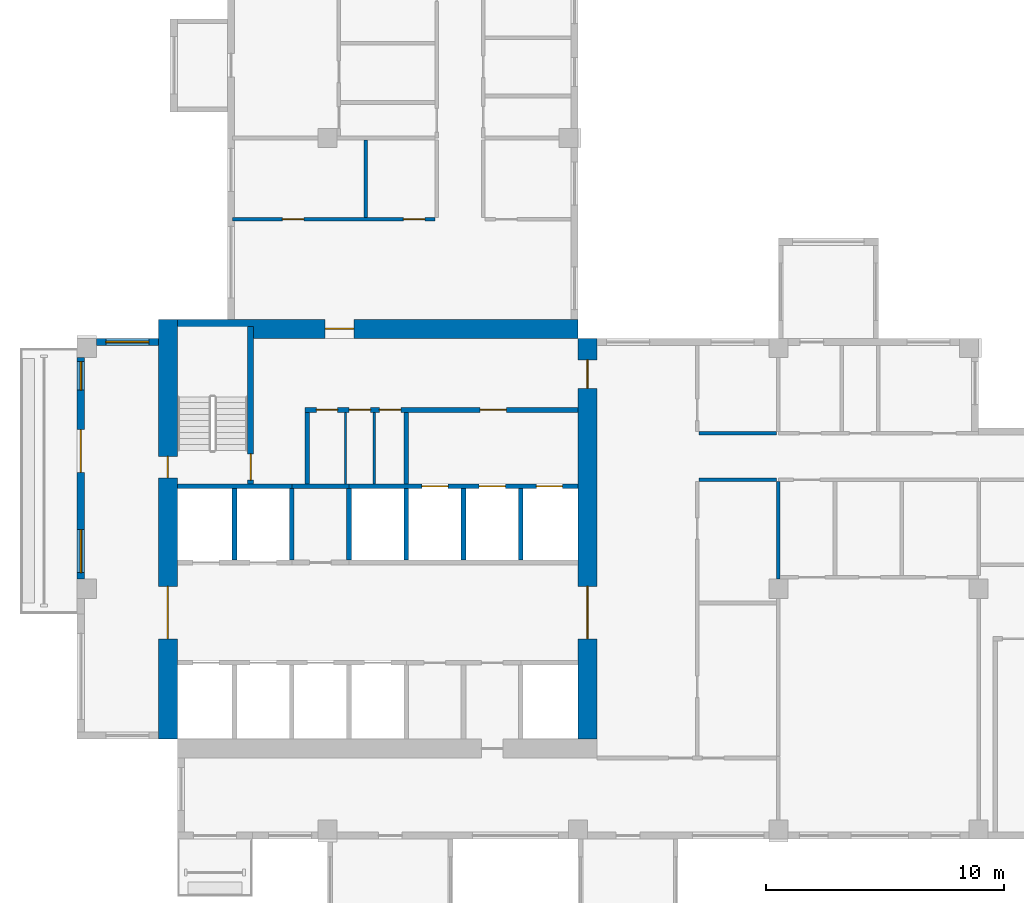
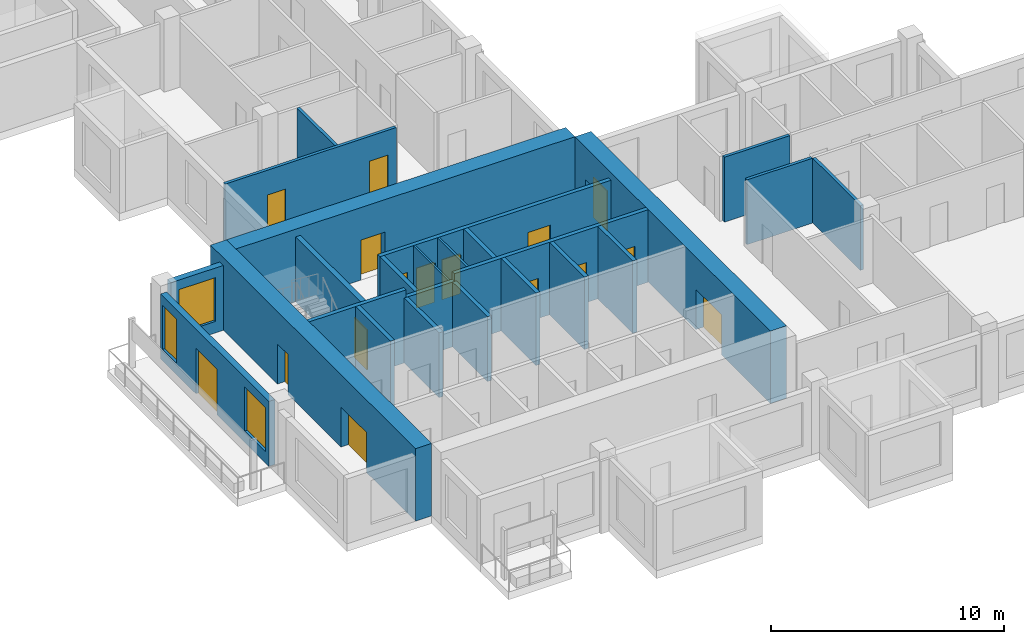
# One storey, part 3 of 12: 25 walls, 16 doors, 3 windows, 19 openings.
"""IFC4 building model written with IfcOpenShell, lengths in metres."""

import ifcopenshell
import ifcopenshell.guid

model = None  # the IFC model being written
_history = None  # IfcOwnerHistory: only IFC2X3 demands one
_inside = {}  # id of a spatial element -> (the spatial element, [elements in it])
_under = {}  # id of a project, library or spatial element -> (it, [spatial elements below it])
_declared = {}  # id of a project -> (the project, [libraries it declares])
_typed = {}  # id of a type object -> (the type object, [elements of that type])
_made_of = {}  # id of a material, layer set ... -> (it, [elements and type objects made of it])


def new_model(schema):
    """Start an empty IFC model of exactly this schema.

    Asked for "IFC4X3", IfcOpenShell would pick the latest addendum, in which some entities
    have other attributes; the version numbers below select the first issue.
    IFC2X3 requires an IfcOwnerHistory on every rooted entity: one is made here for all.
    """
    global model, _history
    if schema == "IFC4X3":
        model = ifcopenshell.file(schema_version=(4, 3, 0, 0))
    else:
        model = ifcopenshell.file(schema=schema)
    _inside.clear()
    _under.clear()
    _declared.clear()
    _typed.clear()
    _made_of.clear()
    _history = None
    if model.schema == "IFC2X3":
        org = make("IfcOrganization", Name="unknown")
        user = make(
            "IfcPersonAndOrganization",
            ThePerson=make("IfcPerson", FamilyName="unknown"),
            TheOrganization=org,
        )
        app = make(
            "IfcApplication",
            ApplicationDeveloper=org,
            Version="unknown",
            ApplicationFullName="unknown",
            ApplicationIdentifier="unknown",
        )
        _history = make(
            "IfcOwnerHistory",
            OwningUser=user,
            OwningApplication=app,
            ChangeAction="ADDED",
            CreationDate=0,
        )
    return model


def make(cls, **values):
    """One entity of the class cls with the attributes given. An attribute that is None is left unset."""
    return model.create_entity(
        cls, **{name: value for name, value in values.items() if value is not None}
    )


def rooted(cls, **values):
    """An entity with a GlobalId (a new one), such as an element, a storey or a relation."""
    return make(cls, GlobalId=ifcopenshell.guid.new(), OwnerHistory=_history, **values)


def si_unit(unit_type, name, prefix=None):
    """IfcSIUnit, for example si_unit("LENGTHUNIT", "METRE", prefix="MILLI")."""
    return make("IfcSIUnit", UnitType=unit_type, Prefix=prefix, Name=name)


def assignment(units):
    """IfcUnitAssignment: the units of a project."""
    return None if units is None else make("IfcUnitAssignment", Units=units)


def point(xyz):
    """IfcCartesianPoint."""
    return None if xyz is None else make("IfcCartesianPoint", Coordinates=xyz)


def direction(xyz):
    """IfcDirection."""
    return None if xyz is None else make("IfcDirection", DirectionRatios=xyz)


def frame(location, z_axis=None, x_axis=None):
    """IfcAxis2Placement3D, a coordinate frame: its origin and axes. An axis left out is left unset."""
    return make(
        "IfcAxis2Placement3D",
        Location=point(location),
        Axis=direction(z_axis),
        RefDirection=direction(x_axis),
    )


def frame_2d(location, x_axis=None):
    """IfcAxis2Placement2D, a coordinate frame in the plane: its origin and x axis."""
    return make(
        "IfcAxis2Placement2D", Location=point(location), RefDirection=direction(x_axis)
    )


def origin():
    """The frame at (0, 0, 0) with its axes left unset."""
    return frame((0.0, 0.0, 0.0))


def place(relative_to, where):
    """IfcLocalPlacement: puts the frame where relative to a parent placement (None: the world)."""
    return make(
        "IfcLocalPlacement", PlacementRelTo=relative_to, RelativePlacement=where
    )


def context(
    kind, dimensions, precision=None, world=None, true_north=None, identifier=None
):
    """IfcGeometricRepresentationContext, for example the 3D "Model" context."""
    return make(
        "IfcGeometricRepresentationContext",
        ContextIdentifier=identifier,
        ContextType=kind,
        CoordinateSpaceDimension=dimensions,
        Precision=precision,
        WorldCoordinateSystem=world,
        TrueNorth=true_north,
    )


def subcontext(parent, identifier, kind, view, scale=None):
    """IfcGeometricRepresentationSubContext, for example "Body" below "Model"."""
    return make(
        "IfcGeometricRepresentationSubContext",
        ContextIdentifier=identifier,
        ContextType=kind,
        ParentContext=parent,
        TargetScale=scale,
        TargetView=view,
    )


def project(units=None, contexts=None):
    """IfcProject with its units and contexts."""
    return rooted(
        "IfcProject",
        Name="project",
        RepresentationContexts=contexts,
        UnitsInContext=assignment(units),
    )


def spatial(cls, under=None, at=None, **own):
    """A site, building, storey or space (cls), placed at a placement, below another one or the project."""
    s = rooted(cls, ObjectPlacement=at, **own)
    if under is not None:
        _under.setdefault(under.id(), (under, []))[1].append(s)
    return s


def profile(cls, at=None, kind="AREA", **sizes):
    """A parametric profile (cls). Its sizes go by their IFC names, for example OverallWidth=200.0."""
    return make(cls, ProfileType=kind, Position=at, **sizes)


def rectangle(**sizes):
    """IfcRectangleProfileDef."""
    return profile("IfcRectangleProfileDef", **sizes)


def extrude(swept, where, along, depth):
    """IfcExtrudedAreaSolid: the profile swept, set in the frame where, extruded along a direction by depth."""
    return make(
        "IfcExtrudedAreaSolid",
        SweptArea=swept,
        Position=where,
        ExtrudedDirection=direction(along),
        Depth=depth,
    )


def shape(context_of_items, identifier, shape_type, items):
    """IfcShapeRepresentation: the items that make up one representation, for example the "Body"."""
    return make(
        "IfcShapeRepresentation",
        ContextOfItems=context_of_items,
        RepresentationIdentifier=identifier,
        RepresentationType=shape_type,
        Items=items,
    )


def source(mapping_origin, context_of_items, identifier, shape_type, items):
    """IfcRepresentationMap: a shape defined once, which mapped items show again and again."""
    return make(
        "IfcRepresentationMap",
        MappingOrigin=mapping_origin,
        MappedRepresentation=shape(context_of_items, identifier, shape_type, items),
    )


def transform(
    local_origin,
    x_axis=None,
    y_axis=None,
    z_axis=None,
    scale=None,
    scale2=None,
    scale3=None,
    uniform=True,
):
    """IfcCartesianTransformationOperator3D, or its non-uniform kind. x_axis, y_axis, z_axis: its Axis1, 2, 3."""
    if uniform:
        return make(
            "IfcCartesianTransformationOperator3D",
            Axis1=direction(x_axis),
            Axis2=direction(y_axis),
            LocalOrigin=point(local_origin),
            Scale=scale,
            Axis3=direction(z_axis),
        )
    return make(
        "IfcCartesianTransformationOperator3DnonUniform",
        Axis1=direction(x_axis),
        Axis2=direction(y_axis),
        LocalOrigin=point(local_origin),
        Scale=scale,
        Axis3=direction(z_axis),
        Scale2=scale2,
        Scale3=scale3,
    )


def mapped(mapping_source, mapping_target):
    """IfcMappedItem: shows the shape of a source again, moved by a transform."""
    return make(
        "IfcMappedItem", MappingSource=mapping_source, MappingTarget=mapping_target
    )


def material(Name=None, Category=None):
    """IfcMaterial."""
    return make("IfcMaterial", Name=Name, Category=Category)


def layer(
    of_material, thickness, ventilated=None, Name=None, Category=None, Priority=None
):
    """IfcMaterialLayer: one layer of a wall or slab, of a material (None: an air gap)."""
    return make(
        "IfcMaterialLayer",
        Material=of_material,
        LayerThickness=thickness,
        IsVentilated=ventilated,
        Name=Name,
        Category=Category,
        Priority=Priority,
    )


def layer_set(layers, Name=None):
    """IfcMaterialLayerSet."""
    return make("IfcMaterialLayerSet", MaterialLayers=layers, LayerSetName=Name)


def made_of(thing, what):
    """Note that an element or type object is made of a material, layer set ...; save() writes the relation."""
    if what is not None:
        _made_of.setdefault(what.id(), (what, []))[1].append(thing)
    return thing


def type_object(cls, material=None, **own):
    """A type object (cls), such as IfcWallType, which elements share."""
    return made_of(rooted(cls, **own), material)


def element(
    cls,
    number,
    at=None,
    inside=None,
    cuts=None,
    type_object=None,
    material=None,
    context=None,
    identifier="Body",
    shape_type=None,
    held_by="IfcProductDefinitionShape",
    body=None,
    shapes=None,
    **own,
):
    """One element of the class cls, such as IfcWall. Its Tag is "e" and its number.

    at: its placement. inside: the storey or other place that contains it. cuts: it is an
    opening in that element (IfcRelVoidsElement). A single representation is given by context,
    identifier, shape_type and body (its items); several are given by shapes. held_by: the class
    of the entity that holds the representations. save() writes the other relations.
    """
    e = rooted(cls, Tag="e%d" % number, ObjectPlacement=at, **own)
    if body is not None:
        shapes = [shape(context, identifier, shape_type, body)]
    if shapes is not None:
        e.Representation = make(held_by, Representations=shapes)
    if inside is not None:
        _inside.setdefault(inside.id(), (inside, []))[1].append(e)
    if cuts is not None:
        rooted(
            "IfcRelVoidsElement", RelatingBuildingElement=cuts, RelatedOpeningElement=e
        )
    if type_object is not None:
        _typed.setdefault(type_object.id(), (type_object, []))[1].append(e)
    return made_of(e, material)


def fill(opening, filler):
    """IfcRelFillsElement: the door or window that sits in an opening."""
    return rooted(
        "IfcRelFillsElement",
        RelatingOpeningElement=opening,
        RelatedBuildingElement=filler,
    )


def aggregate(whole, parts):
    """IfcRelAggregates: a whole, such as a stair, and the parts it consists of."""
    return rooted("IfcRelAggregates", RelatingObject=whole, RelatedObjects=parts)


def save(model, path):
    """Write the relations noted so far, then the file.

    IfcRelAggregates (storeys below a building ...), IfcRelContainedInSpatialStructure (elements
    in a storey), IfcRelDefinesByType, IfcRelAssociatesMaterial and IfcRelDeclares: one each for
    every whole, place, type object, material and project.
    """
    for whole, parts in _under.values():
        aggregate(whole, parts)
    for where, things in _inside.values():
        rooted(
            "IfcRelContainedInSpatialStructure",
            RelatedElements=things,
            RelatingStructure=where,
        )
    for kind, things in _typed.values():
        rooted("IfcRelDefinesByType", RelatedObjects=things, RelatingType=kind)
    for what, things in _made_of.values():
        rooted("IfcRelAssociatesMaterial", RelatedObjects=things, RelatingMaterial=what)
    for by, libraries in _declared.values():
        rooted("IfcRelDeclares", RelatingContext=by, RelatedDefinitions=libraries)
    model.write(path)


model = new_model("IFC4")

# Units and contexts
model_context = context("Model", 3, precision=1e-05, world=origin(), true_north=direction((0.0, 1.0)))
body_context = subcontext(model_context, "Body", "Model", "MODEL_VIEW")
ifc_project = project(units=[si_unit("LENGTHUNIT", "METRE"), si_unit("AREAUNIT", "SQUARE_METRE"), si_unit("VOLUMEUNIT", "CUBIC_METRE"), si_unit("PLANEANGLEUNIT", "RADIAN"), si_unit("MASSUNIT", "GRAM", prefix="KILO")], contexts=[model_context])

# Site, building, storey
site_placement = place(None, origin())
site = spatial("IfcSite", under=ifc_project, at=site_placement, CompositionType="ELEMENT")
building_placement = place(site_placement, origin())
building = spatial("IfcBuilding", under=site, at=building_placement, Name="Aurelian Terraces", CompositionType="ELEMENT")
storey_placement = place(building_placement, frame((0.0, 0.0, 246.2)))
storey = spatial("IfcBuildingStorey", under=building, at=storey_placement, Name="L56", CompositionType="ELEMENT", Elevation=246.2)

# Wall, openings, doors
ifc_material_1 = material(Name="Concrete fc' 70 MPa", Category="concrete")
ifc_layer_1 = layer(ifc_material_1, 0.8)
ifc_layer_set_1 = layer_set([ifc_layer_1], Name="CORE WALL 800 FC70")
wall_type_1 = type_object("IfcWallType", Name="CORE WALL 800 FC70", PredefinedType="SHEAR", material=ifc_layer_set_1)
shared_shape_1 = source(origin(), body_context, "Body", "SweptSolid", [
    extrude(rectangle(XDim=17.6, YDim=0.8, at=frame_2d((8.8, 0.0))), origin(), (0.0, 0.0, 1.0), 3.8),
])
wall_1_placement = place(storey_placement, frame((3.8, 4.2, 0.0), z_axis=(0.0, 0.0, 1.0), x_axis=(0.0, 1.0, 0.0)))
wall_1 = element("IfcWall", 1, at=wall_1_placement, inside=storey, type_object=wall_type_1, Name="Core wall W L56", PredefinedType="SHEAR", context=body_context, shape_type="MappedRepresentation", body=[
    mapped(shared_shape_1, transform((0.0, 0.0, 0.0), scale=1.0)),
])
shared_shape_2 = source(origin(), body_context, "Body", "SweptSolid", [
    extrude(rectangle(XDim=2.2, YDim=2.1, at=frame_2d((1.1, 1.05))), frame((0.0, 0.41, 0.0), z_axis=(0.0, -1.0, 0.0), x_axis=(1.0, 0.0, 0.0)), (0.0, 0.0, 1.0), 0.82),
])
opening_1_placement = place(wall_1_placement, frame((4.2, 0.0, 0.0)))
opening_1 = element("IfcOpeningElement", 2, at=opening_1_placement, cuts=wall_1, Name="Opening 65924", PredefinedType="OPENING", context=body_context, shape_type="MappedRepresentation", body=[
    mapped(shared_shape_2, transform((0.0, 0.0, 0.0), scale=1.0)),
])
shared_shape_3 = source(origin(), body_context, "Body", "SweptSolid", [
    extrude(rectangle(XDim=0.9, YDim=2.1, at=frame_2d((0.45, 1.05))), frame((0.0, 0.41, 0.0), z_axis=(0.0, -1.0, 0.0), x_axis=(1.0, 0.0, 0.0)), (0.0, 0.0, 1.0), 0.82),
])
opening_2_placement = place(wall_1_placement, frame((10.95, 0.0, 0.0)))
opening_2 = element("IfcOpeningElement", 3, at=opening_2_placement, cuts=wall_1, Name="Opening 65928", PredefinedType="OPENING", context=body_context, shape_type="MappedRepresentation", body=[
    mapped(shared_shape_3, transform((0.0, 0.0, 0.0), scale=1.0)),
])
ifc_material_2 = material(Name="Steel door leaf", Category="steel")
door_type_1 = type_object("IfcDoorType", Name="Core service door 900x2100", OperationType="SINGLE_SWING_LEFT", PredefinedType="DOOR", material=ifc_material_2)
shared_shape_4 = source(origin(), body_context, "Body", "SweptSolid", [
    extrude(rectangle(XDim=0.9, YDim=2.1, at=frame_2d((0.45, 1.05))), frame((0.0, 0.025, 0.0), z_axis=(0.0, -1.0, 0.0), x_axis=(1.0, 0.0, 0.0)), (0.0, 0.0, 1.0), 0.05),
])
door_1_placement = place(opening_2_placement, origin())
door_1 = element("IfcDoor", 4, at=door_1_placement, inside=storey, type_object=door_type_1, Name="Core door 65928", OperationType="SINGLE_SWING_LEFT", OverallHeight=2.1, OverallWidth=0.9, PredefinedType="DOOR", context=body_context, shape_type="MappedRepresentation", body=[
    mapped(shared_shape_4, transform((0.0, 0.0, 0.0), scale=1.0)),
])
fill(opening_2, door_1)
door_type_2 = type_object("IfcDoorType", Name="Core double door 2200x2100", OperationType="DOUBLE_DOOR_SINGLE_SWING", PredefinedType="DOOR", material=ifc_material_2)
shared_shape_5 = source(origin(), body_context, "Body", "SweptSolid", [
    extrude(rectangle(XDim=2.2, YDim=2.1, at=frame_2d((1.1, 1.05))), frame((0.0, 0.025, 0.0), z_axis=(0.0, -1.0, 0.0), x_axis=(1.0, 0.0, 0.0)), (0.0, 0.0, 1.0), 0.05),
])
door_2_placement = place(opening_1_placement, origin())
door_2 = element("IfcDoor", 5, at=door_2_placement, inside=storey, type_object=door_type_2, Name="Core door 65924", OperationType="DOUBLE_DOOR_SINGLE_SWING", OverallHeight=2.1, OverallWidth=2.2, PredefinedType="DOOR", context=body_context, shape_type="MappedRepresentation", body=[
    mapped(shared_shape_5, transform((0.0, 0.0, 0.0), scale=1.0)),
])
fill(opening_1, door_2)

shared_shape_6 = source(origin(), body_context, "Body", "SweptSolid", [
    extrude(rectangle(XDim=16.8, YDim=0.8, at=frame_2d((8.4, 0.0))), origin(), (0.0, 0.0, 1.0), 3.8),
])
wall_2_placement = place(storey_placement, frame((21.4, 4.2, 0.0), z_axis=(0.0, 0.0, 1.0), x_axis=(0.0, 1.0, 0.0)))
wall_2 = element("IfcWall", 6, at=wall_2_placement, inside=storey, type_object=wall_type_1, Name="Core wall E L56", PredefinedType="SHEAR", context=body_context, shape_type="MappedRepresentation", body=[
    mapped(shared_shape_6, transform((0.0, 0.0, 0.0), scale=1.0)),
])
opening_3_placement = place(wall_2_placement, frame((4.2, 0.0, 0.0)))
opening_3 = element("IfcOpeningElement", 7, at=opening_3_placement, cuts=wall_2, Name="Opening 65923", PredefinedType="OPENING", context=body_context, shape_type="MappedRepresentation", body=[
    mapped(shared_shape_2, transform((0.0, 0.0, 0.0), scale=1.0)),
])
shared_shape_7 = source(origin(), body_context, "Body", "SweptSolid", [
    extrude(rectangle(XDim=1.2, YDim=2.1, at=frame_2d((0.6, 1.05))), frame((0.0, 0.41, 0.0), z_axis=(0.0, -1.0, 0.0), x_axis=(1.0, 0.0, 0.0)), (0.0, 0.0, 1.0), 0.82),
])
opening_4_placement = place(wall_2_placement, frame((14.7, 0.0, 0.0)))
opening_4 = element("IfcOpeningElement", 8, at=opening_4_placement, cuts=wall_2, Name="Opening 65926", PredefinedType="OPENING", context=body_context, shape_type="MappedRepresentation", body=[
    mapped(shared_shape_7, transform((0.0, 0.0, 0.0), scale=1.0)),
])
door_type_3 = type_object("IfcDoorType", Name="Core fire door 1200x2100", OperationType="SINGLE_SWING_LEFT", PredefinedType="DOOR", material=ifc_material_2)
shared_shape_8 = source(origin(), body_context, "Body", "SweptSolid", [
    extrude(rectangle(XDim=1.2, YDim=2.1, at=frame_2d((0.6, 1.05))), frame((0.0, 0.025, 0.0), z_axis=(0.0, -1.0, 0.0), x_axis=(1.0, 0.0, 0.0)), (0.0, 0.0, 1.0), 0.05),
])
door_3_placement = place(opening_4_placement, origin())
door_3 = element("IfcDoor", 9, at=door_3_placement, inside=storey, type_object=door_type_3, Name="Core door 65926", OperationType="SINGLE_SWING_LEFT", OverallHeight=2.1, OverallWidth=1.2, PredefinedType="DOOR", context=body_context, shape_type="MappedRepresentation", body=[
    mapped(shared_shape_8, transform((0.0, 0.0, 0.0), scale=1.0)),
])
fill(opening_4, door_3)
door_4_placement = place(opening_3_placement, origin())
door_4 = element("IfcDoor", 10, at=door_4_placement, inside=storey, type_object=door_type_2, Name="Core door 65923", OperationType="DOUBLE_DOOR_SINGLE_SWING", OverallHeight=2.1, OverallWidth=2.2, PredefinedType="DOOR", context=body_context, shape_type="MappedRepresentation", body=[
    mapped(shared_shape_5, transform((0.0, 0.0, 0.0), scale=1.0)),
])
fill(opening_3, door_4)

# Wall, opening, door
wall_3_placement = place(storey_placement, frame((4.2, 21.4, 0.0), z_axis=(0.0, 0.0, 1.0), x_axis=(1.0, 0.0, 0.0)))
wall_3 = element("IfcWall", 11, at=wall_3_placement, inside=storey, type_object=wall_type_1, Name="Core wall N L56", PredefinedType="SHEAR", context=body_context, shape_type="MappedRepresentation", body=[
    mapped(shared_shape_6, transform((0.0, 0.0, 0.0), scale=1.0)),
])
opening_5_placement = place(wall_3_placement, frame((6.2, 0.0, 0.0)))
opening_5 = element("IfcOpeningElement", 12, at=opening_5_placement, cuts=wall_3, Name="Opening 65925", PredefinedType="OPENING", context=body_context, shape_type="MappedRepresentation", body=[
    mapped(shared_shape_7, transform((0.0, 0.0, 0.0), scale=1.0)),
])
door_type_4 = type_object("IfcDoorType", Name="Core fire door 1200x2100 right", OperationType="SINGLE_SWING_RIGHT", PredefinedType="DOOR", material=ifc_material_2)
door_5_placement = place(opening_5_placement, origin())
door_5 = element("IfcDoor", 13, at=door_5_placement, inside=storey, type_object=door_type_4, Name="Core door 65925", OperationType="SINGLE_SWING_RIGHT", OverallHeight=2.1, OverallWidth=1.2, PredefinedType="DOOR", context=body_context, shape_type="MappedRepresentation", body=[
    mapped(shared_shape_8, transform((0.0, 0.0, 0.0), scale=1.0)),
])
fill(opening_5, door_5)

# Wall, opening, window
ifc_material_3 = material(Name="Terracotta rainscreen cladding", Category="masonry")
ifc_layer_2 = layer(ifc_material_3, 0.3)
ifc_layer_set_2 = layer_set([ifc_layer_2], Name="EW-300")
wall_type_2 = type_object("IfcWallType", Name="EW-300", PredefinedType="STANDARD", material=ifc_layer_set_2)
shared_shape_9 = source(origin(), body_context, "Body", "SweptSolid", [
    extrude(rectangle(XDim=2.6, YDim=0.3, at=frame_2d((1.3, 0.0))), origin(), (0.0, 0.0, 1.0), 3.4),
])
wall_4_placement = place(storey_placement, frame((3.4, 20.85, 0.0), z_axis=(0.0, 0.0, 1.0), x_axis=(-1.0, 0.0, 0.0)))
wall_4 = element("IfcWall", 14, at=wall_4_placement, inside=storey, type_object=wall_type_2, Name="External wall L56 F19.34", PredefinedType="STANDARD", context=body_context, shape_type="MappedRepresentation", body=[
    mapped(shared_shape_9, transform((0.0, 0.0, 0.0), scale=1.0)),
])
shared_shape_10 = source(origin(), body_context, "Body", "SweptSolid", [
    extrude(rectangle(XDim=1.8, YDim=2.3, at=frame_2d((0.9, 1.15))), frame((0.0, 0.16, 0.0), z_axis=(0.0, -1.0, 0.0), x_axis=(1.0, 0.0, 0.0)), (0.0, 0.0, 1.0), 0.32),
])
opening_6_placement = place(wall_4_placement, frame((0.4, 0.0, 0.6)))
opening_6 = element("IfcOpeningElement", 15, at=opening_6_placement, cuts=wall_4, Name="Opening W1823", PredefinedType="OPENING", context=body_context, shape_type="MappedRepresentation", body=[
    mapped(shared_shape_10, transform((0.0, 0.0, 0.0), scale=1.0)),
])
ifc_material_4 = material(Name="Clear glazing", Category="glass")
window_type_1 = type_object("IfcWindowType", Name="W-1800x2300", PartitioningType="SINGLE_PANEL", PredefinedType="WINDOW", material=ifc_material_4)
shared_shape_11 = source(origin(), body_context, "Body", "SweptSolid", [
    extrude(rectangle(XDim=1.8, YDim=2.3, at=frame_2d((0.9, 1.15))), frame((0.0, 0.03, 0.0), z_axis=(0.0, -1.0, 0.0), x_axis=(1.0, 0.0, 0.0)), (0.0, 0.0, 1.0), 0.06),
])
window_1_placement = place(opening_6_placement, origin())
window_1 = element("IfcWindow", 16, at=window_1_placement, inside=storey, type_object=window_type_1, Name="Window L56 L56-F19-34-0", OverallHeight=2.3, OverallWidth=1.8, PartitioningType="SINGLE_PANEL", PredefinedType="WINDOW", context=body_context, shape_type="MappedRepresentation", body=[
    mapped(shared_shape_11, transform((0.0, 0.0, 0.0), scale=1.0)),
])
fill(opening_6, window_1)

# Wall, openings, door, windows
shared_shape_12 = source(origin(), body_context, "Body", "SweptSolid", [
    extrude(rectangle(XDim=9.3, YDim=0.3, at=frame_2d((4.65, 0.0))), origin(), (0.0, 0.0, 1.0), 3.4),
])
wall_5_placement = place(storey_placement, frame((0.15, 20.2, 0.0), z_axis=(0.0, 0.0, 1.0), x_axis=(0.0, -1.0, 0.0)))
wall_5 = element("IfcWall", 17, at=wall_5_placement, inside=storey, type_object=wall_type_2, Name="External wall L56 F20.35", PredefinedType="STANDARD", context=body_context, shape_type="MappedRepresentation", body=[
    mapped(shared_shape_12, transform((0.0, 0.0, 0.0), scale=1.0)),
])
shared_shape_13 = source(origin(), body_context, "Body", "SweptSolid", [
    extrude(rectangle(XDim=1.8, YDim=2.4, at=frame_2d((0.9, 1.2))), frame((0.0, 0.16, 0.0), z_axis=(0.0, -1.0, 0.0), x_axis=(1.0, 0.0, 0.0)), (0.0, 0.0, 1.0), 0.32),
])
opening_7_placement = place(wall_5_placement, frame((3.025, 0.0, 0.0)))
opening_7 = element("IfcOpeningElement", 18, at=opening_7_placement, cuts=wall_5, Name="Opening 85604", PredefinedType="OPENING", context=body_context, shape_type="MappedRepresentation", body=[
    mapped(shared_shape_13, transform((0.0, 0.0, 0.0), scale=1.0)),
])
shared_shape_14 = source(origin(), body_context, "Body", "SweptSolid", [
    extrude(rectangle(XDim=1.2, YDim=2.3, at=frame_2d((0.6, 1.15))), frame((0.0, 0.16, 0.0), z_axis=(0.0, -1.0, 0.0), x_axis=(1.0, 0.0, 0.0)), (0.0, 0.0, 1.0), 0.32),
])
opening_8_placement = place(wall_5_placement, frame((0.175, 0.0, 0.6)))
opening_8 = element("IfcOpeningElement", 19, at=opening_8_placement, cuts=wall_5, Name="Opening W1223", PredefinedType="OPENING", context=body_context, shape_type="MappedRepresentation", body=[
    mapped(shared_shape_14, transform((0.0, 0.0, 0.0), scale=1.0)),
])
opening_9_placement = place(wall_5_placement, frame((7.225, 0.0, 0.6)))
opening_9 = element("IfcOpeningElement", 20, at=opening_9_placement, cuts=wall_5, Name="Opening W1823", PredefinedType="OPENING", context=body_context, shape_type="MappedRepresentation", body=[
    mapped(shared_shape_10, transform((0.0, 0.0, 0.0), scale=1.0)),
])
door_type_5 = type_object("IfcDoorType", Name="BD-1800x2400", OperationType="SLIDING_TO_LEFT", PredefinedType="DOOR", material=ifc_material_4)
shared_shape_15 = source(origin(), body_context, "Body", "SweptSolid", [
    extrude(rectangle(XDim=1.8, YDim=2.4, at=frame_2d((0.9, 1.2))), frame((0.0, 0.025, 0.0), z_axis=(0.0, -1.0, 0.0), x_axis=(1.0, 0.0, 0.0)), (0.0, 0.0, 1.0), 0.05),
])
door_6_placement = place(opening_7_placement, origin())
door_6 = element("IfcDoor", 21, at=door_6_placement, inside=storey, type_object=door_type_5, Name="Balcony door L56 F20.35", OperationType="SLIDING_TO_LEFT", OverallHeight=2.4, OverallWidth=1.8, PredefinedType="DOOR", context=body_context, shape_type="MappedRepresentation", body=[
    mapped(shared_shape_15, transform((0.0, 0.0, 0.0), scale=1.0)),
])
fill(opening_7, door_6)
window_type_2 = type_object("IfcWindowType", Name="W-1200x2300", PartitioningType="SINGLE_PANEL", PredefinedType="WINDOW", material=ifc_material_4)
shared_shape_16 = source(origin(), body_context, "Body", "SweptSolid", [
    extrude(rectangle(XDim=1.2, YDim=2.3, at=frame_2d((0.6, 1.15))), frame((0.0, 0.03, 0.0), z_axis=(0.0, -1.0, 0.0), x_axis=(1.0, 0.0, 0.0)), (0.0, 0.0, 1.0), 0.06),
])
window_2_placement = place(opening_8_placement, origin())
window_2 = element("IfcWindow", 22, at=window_2_placement, inside=storey, type_object=window_type_2, Name="Window L56 L56-F20-35-0", OverallHeight=2.3, OverallWidth=1.2, PartitioningType="SINGLE_PANEL", PredefinedType="WINDOW", context=body_context, shape_type="MappedRepresentation", body=[
    mapped(shared_shape_16, transform((0.0, 0.0, 0.0), scale=1.0)),
])
fill(opening_8, window_2)
window_3_placement = place(opening_9_placement, origin())
window_3 = element("IfcWindow", 23, at=window_3_placement, inside=storey, type_object=window_type_1, Name="Window L56 L56-F20-35-2", OverallHeight=2.3, OverallWidth=1.8, PartitioningType="SINGLE_PANEL", PredefinedType="WINDOW", context=body_context, shape_type="MappedRepresentation", body=[
    mapped(shared_shape_11, transform((0.0, 0.0, 0.0), scale=1.0)),
])
fill(opening_9, window_3)

# Walls
ifc_material_5 = material(Name="Concrete fc' 40 MPa", Category="concrete")
ifc_layer_3 = layer(ifc_material_5, 0.2)
ifc_layer_set_3 = layer_set([ifc_layer_3], Name="Lift shaft wall 200")
wall_type_3 = type_object("IfcWallType", Name="Lift shaft wall 200", PredefinedType="SOLIDWALL", material=ifc_layer_set_3)
shared_shape_17 = source(origin(), body_context, "Body", "SweptSolid", [
    extrude(rectangle(XDim=3.0, YDim=0.2, at=frame_2d((1.5, 0.0))), origin(), (0.0, 0.0, 1.0), 3.4),
])
for number, where, z_axis, x_axis, name in (
    (24, (9.0, 11.7, 0.0), (0.0, 0.0, 1.0), (0.0, 1.0, 0.0), "L56 core wall CD-B2"),
    (25, (11.4, 11.7, 0.0), (0.0, 0.0, 1.0), (0.0, 1.0, 0.0), "L56 core wall CD-B3"),
):
    element("IfcWall", number, at=place(storey_placement, frame(where, z_axis=z_axis, x_axis=x_axis)), inside=storey, type_object=wall_type_3, Name=name, PredefinedType="SOLIDWALL", context=body_context, shape_type="MappedRepresentation", body=[
        mapped(shared_shape_17, transform((0.0, 0.0, 0.0), scale=1.0)),
    ])
shared_shape_18 = source(origin(), body_context, "Body", "SweptSolid", [
    extrude(rectangle(XDim=3.0, YDim=0.2, at=frame_2d((1.5, 0.0))), origin(), (0.0, 0.0, 1.0), 3.8),
])
for number, where, z_axis, x_axis, name in (
    (26, (6.6, 11.7, 0.0), (0.0, 0.0, 1.0), (0.0, 1.0, 0.0), "L56 core wall CD-B1"),
    (27, (13.8, 11.7, 0.0), (0.0, 0.0, 1.0), (0.0, 1.0, 0.0), "L56 core wall CD-B4"),
    (28, (16.2, 11.7, 0.0), (0.0, 0.0, 1.0), (0.0, 1.0, 0.0), "L56 core wall CD-B5"),
    (29, (18.6, 11.7, 0.0), (0.0, 0.0, 1.0), (0.0, 1.0, 0.0), "L56 core wall CD-B6"),
):
    element("IfcWall", number, at=place(storey_placement, frame(where, z_axis=z_axis, x_axis=x_axis)), inside=storey, type_object=wall_type_3, Name=name, PredefinedType="SOLIDWALL", context=body_context, shape_type="MappedRepresentation", body=[
        mapped(shared_shape_18, transform((0.0, 0.0, 0.0), scale=1.0)),
    ])

# Wall, openings, doors
shared_shape_19 = source(origin(), body_context, "Body", "SweptSolid", [
    extrude(rectangle(XDim=9.6, YDim=0.2, at=frame_2d((4.8, 0.0))), origin(), (0.0, 0.0, 1.0), 3.8),
])
wall_6_placement = place(storey_placement, frame((11.4, 14.8, 0.0), z_axis=(0.0, 0.0, 1.0), x_axis=(1.0, 0.0, 0.0)))
wall_6 = element("IfcWall", 30, at=wall_6_placement, inside=storey, type_object=wall_type_3, Name="L56 core wall CF-BB3", PredefinedType="SOLIDWALL", context=body_context, shape_type="MappedRepresentation", body=[
    mapped(shared_shape_19, transform((0.0, 0.0, 0.0), scale=1.0)),
])
shared_shape_20 = source(origin(), body_context, "Body", "SweptSolid", [
    extrude(rectangle(XDim=1.1, YDim=2.1, at=frame_2d((0.55, 1.05))), frame((0.0, 0.11, 0.0), z_axis=(0.0, -1.0, 0.0), x_axis=(1.0, 0.0, 0.0)), (0.0, 0.0, 1.0), 0.22),
])
opening_10_placement = place(wall_6_placement, frame((3.05, 0.0, 0.0)))
opening_10 = element("IfcOpeningElement", 31, at=opening_10_placement, cuts=wall_6, Name="Opening 65909", PredefinedType="OPENING", context=body_context, shape_type="MappedRepresentation", body=[
    mapped(shared_shape_20, transform((0.0, 0.0, 0.0), scale=1.0)),
])
opening_11_placement = place(wall_6_placement, frame((5.45, 0.0, 0.0)))
opening_11 = element("IfcOpeningElement", 32, at=opening_11_placement, cuts=wall_6, Name="Opening 65910", PredefinedType="OPENING", context=body_context, shape_type="MappedRepresentation", body=[
    mapped(shared_shape_20, transform((0.0, 0.0, 0.0), scale=1.0)),
])
opening_12_placement = place(wall_6_placement, frame((7.85, 0.0, 0.0)))
opening_12 = element("IfcOpeningElement", 33, at=opening_12_placement, cuts=wall_6, Name="Opening 65911", PredefinedType="OPENING", context=body_context, shape_type="MappedRepresentation", body=[
    mapped(shared_shape_20, transform((0.0, 0.0, 0.0), scale=1.0)),
])
ifc_material_6 = material(Name="Stainless steel", Category="steel")
door_type_6 = type_object("IfcDoorType", Name="Lift landing door 1100x2100", OperationType="SLIDING_TO_LEFT", PredefinedType="DOOR", material=ifc_material_6)
shared_shape_21 = source(origin(), body_context, "Body", "SweptSolid", [
    extrude(rectangle(XDim=1.1, YDim=2.1, at=frame_2d((0.55, 1.05))), frame((0.0, 0.025, 0.0), z_axis=(0.0, -1.0, 0.0), x_axis=(1.0, 0.0, 0.0)), (0.0, 0.0, 1.0), 0.05),
])
door_7_placement = place(opening_10_placement, origin())
door_7 = element("IfcDoor", 34, at=door_7_placement, inside=storey, type_object=door_type_6, Name="Lift landing door F1 L56", OperationType="SLIDING_TO_LEFT", OverallHeight=2.1, OverallWidth=1.1, PredefinedType="DOOR", context=body_context, shape_type="MappedRepresentation", body=[
    mapped(shared_shape_21, transform((0.0, 0.0, 0.0), scale=1.0)),
])
fill(opening_10, door_7)
door_8_placement = place(opening_11_placement, origin())
door_8 = element("IfcDoor", 35, at=door_8_placement, inside=storey, type_object=door_type_6, Name="Lift landing door F2 L56", OperationType="SLIDING_TO_LEFT", OverallHeight=2.1, OverallWidth=1.1, PredefinedType="DOOR", context=body_context, shape_type="MappedRepresentation", body=[
    mapped(shared_shape_21, transform((0.0, 0.0, 0.0), scale=1.0)),
])
fill(opening_11, door_8)
door_9_placement = place(opening_12_placement, origin())
door_9 = element("IfcDoor", 36, at=door_9_placement, inside=storey, type_object=door_type_6, Name="Lift landing door F3 L56", OperationType="SLIDING_TO_LEFT", OverallHeight=2.1, OverallWidth=1.1, PredefinedType="DOOR", context=body_context, shape_type="MappedRepresentation", body=[
    mapped(shared_shape_21, transform((0.0, 0.0, 0.0), scale=1.0)),
])
fill(opening_12, door_9)

# Walls
shared_shape_22 = source(origin(), body_context, "Body", "SweptSolid", [
    extrude(rectangle(XDim=4.8, YDim=0.2, at=frame_2d((2.4, 0.0))), origin(), (0.0, 0.0, 1.0), 3.8),
])
wall_7_placement = place(storey_placement, frame((4.2, 14.8, 0.0), z_axis=(0.0, 0.0, 1.0), x_axis=(1.0, 0.0, 0.0)))
element("IfcWall", 37, at=wall_7_placement, inside=storey, type_object=wall_type_3, Name="L56 core wall CF-BB1", PredefinedType="SOLIDWALL", context=body_context, shape_type="MappedRepresentation", body=[
    mapped(shared_shape_22, transform((0.0, 0.0, 0.0), scale=1.0)),
])
shared_shape_23 = source(origin(), body_context, "Body", "SweptSolid", [
    extrude(rectangle(XDim=2.4, YDim=0.2, at=frame_2d((1.2, 0.0))), origin(), (0.0, 0.0, 1.0), 3.4),
])
wall_8_placement = place(storey_placement, frame((9.0, 14.8, 0.0), z_axis=(0.0, 0.0, 1.0), x_axis=(1.0, 0.0, 0.0)))
element("IfcWall", 38, at=wall_8_placement, inside=storey, type_object=wall_type_3, Name="L56 core wall CF-BB2", PredefinedType="SOLIDWALL", context=body_context, shape_type="MappedRepresentation", body=[
    mapped(shared_shape_23, transform((0.0, 0.0, 0.0), scale=1.0)),
])
ifc_material_7 = material(Name="Gypsum board on steel studs", Category="steel")
ifc_layer_4 = layer(ifc_material_7, 0.2)
ifc_layer_set_4 = layer_set([ifc_layer_4], Name="Core partition 200")
wall_type_4 = type_object("IfcWallType", Name="Core partition 200", PredefinedType="PARTITIONING", material=ifc_layer_set_4)
shared_shape_24 = source(origin(), body_context, "Body", "SweptSolid", [
    extrude(rectangle(XDim=3.0, YDim=0.2, at=frame_2d((1.5, 0.0))), origin(), (0.0, 0.0, 1.0), 3.4),
])
for number, where, z_axis, x_axis, name in (
    (39, (9.65, 14.9, 0.0), (0.0, 0.0, 1.0), (0.0, 1.0, 0.0), "L56 core wall CP-VEST"),
    (40, (13.8, 14.9, 0.0), (0.0, 0.0, 1.0), (0.0, 1.0, 0.0), "L56 core wall CP-FFL"),
):
    element("IfcWall", number, at=place(storey_placement, frame(where, z_axis=z_axis, x_axis=x_axis)), inside=storey, type_object=wall_type_4, Name=name, PredefinedType="PARTITIONING", context=body_context, shape_type="MappedRepresentation", body=[
        mapped(shared_shape_24, transform((0.0, 0.0, 0.0), scale=1.0)),
    ])
ifc_layer_5 = layer(ifc_material_7, 0.1)
ifc_layer_set_5 = layer_set([ifc_layer_5], Name="Core partition 100")
wall_type_5 = type_object("IfcWallType", Name="Core partition 100", PredefinedType="PARTITIONING", material=ifc_layer_set_5)
shared_shape_25 = source(origin(), body_context, "Body", "SweptSolid", [
    extrude(rectangle(XDim=3.0, YDim=0.1, at=frame_2d((1.5, 0.0))), origin(), (0.0, 0.0, 1.0), 3.4),
])
for number, where, z_axis, x_axis, name in (
    (41, (11.25, 14.9, 0.0), (0.0, 0.0, 1.0), (0.0, 1.0, 0.0), "L56 core wall CP-SV1"),
    (42, (12.45, 14.9, 0.0), (0.0, 0.0, 1.0), (0.0, 1.0, 0.0), "L56 core wall CP-SV2"),
):
    element("IfcWall", number, at=place(storey_placement, frame(where, z_axis=z_axis, x_axis=x_axis)), inside=storey, type_object=wall_type_5, Name=name, PredefinedType="PARTITIONING", context=body_context, shape_type="MappedRepresentation", body=[
        mapped(shared_shape_25, transform((0.0, 0.0, 0.0), scale=1.0)),
    ])

# Wall, opening, door
ifc_layer_6 = layer(ifc_material_5, 0.25)
ifc_layer_set_6 = layer_set([ifc_layer_6], Name="Stair enclosure wall 250")
wall_type_6 = type_object("IfcWallType", Name="Stair enclosure wall 250", PredefinedType="SOLIDWALL", material=ifc_layer_set_6)
shared_shape_26 = source(origin(), body_context, "Body", "SweptSolid", [
    extrude(rectangle(XDim=6.6, YDim=0.25, at=frame_2d((3.3, 0.0))), origin(), (0.0, 0.0, 1.0), 3.4),
])
wall_9_placement = place(storey_placement, frame((7.275, 14.9, 0.0), z_axis=(0.0, 0.0, 1.0), x_axis=(0.0, 1.0, 0.0)))
wall_9 = element("IfcWall", 43, at=wall_9_placement, inside=storey, type_object=wall_type_6, Name="L56 core wall ST-S1-E", PredefinedType="SOLIDWALL", context=body_context, shape_type="MappedRepresentation", body=[
    mapped(shared_shape_26, transform((0.0, 0.0, 0.0), scale=1.0)),
])
shared_shape_27 = source(origin(), body_context, "Body", "SweptSolid", [
    extrude(rectangle(XDim=1.1, YDim=2.1, at=frame_2d((0.55, 1.05))), frame((0.0, 0.135, 0.0), z_axis=(0.0, -1.0, 0.0), x_axis=(1.0, 0.0, 0.0)), (0.0, 0.0, 1.0), 0.27),
])
opening_13_placement = place(wall_9_placement, frame((0.15, 0.0, 0.0)))
opening_13 = element("IfcOpeningElement", 44, at=opening_13_placement, cuts=wall_9, Name="Opening 65912", PredefinedType="OPENING", context=body_context, shape_type="MappedRepresentation", body=[
    mapped(shared_shape_27, transform((0.0, 0.0, 0.0), scale=1.0)),
])
door_type_7 = type_object("IfcDoorType", Name="Core fire door 1100x2100 right", OperationType="SINGLE_SWING_RIGHT", PredefinedType="DOOR", material=ifc_material_2)
door_10_placement = place(opening_13_placement, origin())
door_10 = element("IfcDoor", 45, at=door_10_placement, inside=storey, type_object=door_type_7, Name="Stair door 65912", OperationType="SINGLE_SWING_RIGHT", OverallHeight=2.1, OverallWidth=1.1, PredefinedType="DOOR", context=body_context, shape_type="MappedRepresentation", body=[
    mapped(shared_shape_21, transform((0.0, 0.0, 0.0), scale=1.0)),
])
fill(opening_13, door_10)

# Wall, openings, doors
shared_shape_28 = source(origin(), body_context, "Body", "SweptSolid", [
    extrude(rectangle(XDim=11.45, YDim=0.2, at=frame_2d((5.725, 0.0))), origin(), (0.0, 0.0, 1.0), 3.4),
])
wall_10_placement = place(storey_placement, frame((9.55, 18.0, 0.0), z_axis=(0.0, 0.0, 1.0), x_axis=(1.0, 0.0, 0.0)))
wall_10 = element("IfcWall", 46, at=wall_10_placement, inside=storey, type_object=wall_type_4, Name="L56 core wall CP-NORTH", PredefinedType="PARTITIONING", context=body_context, shape_type="MappedRepresentation", body=[
    mapped(shared_shape_28, transform((0.0, 0.0, 0.0), scale=1.0)),
])
shared_shape_29 = source(origin(), body_context, "Body", "SweptSolid", [
    extrude(rectangle(XDim=0.9, YDim=2.1, at=frame_2d((0.45, 1.05))), frame((0.0, 0.11, 0.0), z_axis=(0.0, -1.0, 0.0), x_axis=(1.0, 0.0, 0.0)), (0.0, 0.0, 1.0), 0.22),
])
opening_14_placement = place(wall_10_placement, frame((0.475, 0.0, 0.0)))
opening_14 = element("IfcOpeningElement", 47, at=opening_14_placement, cuts=wall_10, Name="Opening 65913", PredefinedType="OPENING", context=body_context, shape_type="MappedRepresentation", body=[
    mapped(shared_shape_29, transform((0.0, 0.0, 0.0), scale=1.0)),
])
opening_15_placement = place(wall_10_placement, frame((1.85, 0.0, 0.0)))
opening_15 = element("IfcOpeningElement", 48, at=opening_15_placement, cuts=wall_10, Name="Opening 65914", PredefinedType="OPENING", context=body_context, shape_type="MappedRepresentation", body=[
    mapped(shared_shape_29, transform((0.0, 0.0, 0.0), scale=1.0)),
])
opening_16_placement = place(wall_10_placement, frame((3.125, 0.0, 0.0)))
opening_16 = element("IfcOpeningElement", 49, at=opening_16_placement, cuts=wall_10, Name="Opening 65915", PredefinedType="OPENING", context=body_context, shape_type="MappedRepresentation", body=[
    mapped(shared_shape_29, transform((0.0, 0.0, 0.0), scale=1.0)),
])
opening_17_placement = place(wall_10_placement, frame((7.35, 0.0, 0.0)))
opening_17 = element("IfcOpeningElement", 50, at=opening_17_placement, cuts=wall_10, Name="Opening 65916", PredefinedType="OPENING", context=body_context, shape_type="MappedRepresentation", body=[
    mapped(shared_shape_20, transform((0.0, 0.0, 0.0), scale=1.0)),
])
door_11_placement = place(opening_14_placement, origin())
door_11 = element("IfcDoor", 51, at=door_11_placement, inside=storey, type_object=door_type_1, Name="Room door 65913", OperationType="SINGLE_SWING_LEFT", OverallHeight=2.1, OverallWidth=0.9, PredefinedType="DOOR", context=body_context, shape_type="MappedRepresentation", body=[
    mapped(shared_shape_4, transform((0.0, 0.0, 0.0), scale=1.0)),
])
fill(opening_14, door_11)
door_type_8 = type_object("IfcDoorType", Name="Core riser door 900x2100 right", OperationType="SINGLE_SWING_RIGHT", PredefinedType="DOOR", material=ifc_material_2)
door_12_placement = place(opening_15_placement, origin())
door_12 = element("IfcDoor", 52, at=door_12_placement, inside=storey, type_object=door_type_8, Name="Room door 65914", OperationType="SINGLE_SWING_RIGHT", OverallHeight=2.1, OverallWidth=0.9, PredefinedType="DOOR", context=body_context, shape_type="MappedRepresentation", body=[
    mapped(shared_shape_4, transform((0.0, 0.0, 0.0), scale=1.0)),
])
fill(opening_15, door_12)
door_13_placement = place(opening_16_placement, origin())
door_13 = element("IfcDoor", 53, at=door_13_placement, inside=storey, type_object=door_type_1, Name="Room door 65915", OperationType="SINGLE_SWING_LEFT", OverallHeight=2.1, OverallWidth=0.9, PredefinedType="DOOR", context=body_context, shape_type="MappedRepresentation", body=[
    mapped(shared_shape_4, transform((0.0, 0.0, 0.0), scale=1.0)),
])
fill(opening_16, door_13)
door_14_placement = place(opening_17_placement, origin())
door_14 = element("IfcDoor", 54, at=door_14_placement, inside=storey, type_object=door_type_7, Name="Ff lobby door 65916", OperationType="SINGLE_SWING_RIGHT", OverallHeight=2.1, OverallWidth=1.1, PredefinedType="DOOR", context=body_context, shape_type="MappedRepresentation", body=[
    mapped(shared_shape_21, transform((0.0, 0.0, 0.0), scale=1.0)),
])
fill(opening_17, door_14)

ifc_layer_7 = layer(ifc_material_7, 0.15)
ifc_layer_set_7 = layer_set([ifc_layer_7], Name="Partition 150")
wall_type_7 = type_object("IfcWallType", Name="Partition 150", PredefinedType="PARTITIONING", material=ifc_layer_set_7)
shared_shape_30 = source(origin(), body_context, "Body", "SweptSolid", [
    extrude(rectangle(XDim=8.495, YDim=0.15, at=frame_2d((4.2475, 0.0))), origin(), (0.0, 0.0, 1.0), 3.4),
])
wall_11_placement = place(storey_placement, frame((6.505, 26.0, 0.0), z_axis=(0.0, 0.0, 1.0), x_axis=(1.0, 0.0, 0.0)))
wall_11 = element("IfcWall", 55, at=wall_11_placement, inside=storey, type_object=wall_type_7, Name="Partition", PredefinedType="PARTITIONING", context=body_context, shape_type="MappedRepresentation", body=[
    mapped(shared_shape_30, transform((0.0, 0.0, 0.0), scale=1.0)),
])
shared_shape_31 = source(origin(), body_context, "Body", "SweptSolid", [
    extrude(rectangle(XDim=0.9, YDim=2.1, at=frame_2d((0.45, 1.05))), frame((0.0, 0.085, 0.0), z_axis=(0.0, -1.0, 0.0), x_axis=(1.0, 0.0, 0.0)), (0.0, 0.0, 1.0), 0.17),
])
opening_18_placement = place(wall_11_placement, frame((2.095, 0.0, 0.0)))
opening_18 = element("IfcOpeningElement", 56, at=opening_18_placement, cuts=wall_11, Name="Opening 756018", PredefinedType="OPENING", context=body_context, shape_type="MappedRepresentation", body=[
    mapped(shared_shape_31, transform((0.0, 0.0, 0.0), scale=1.0)),
])
opening_19_placement = place(wall_11_placement, frame((7.17, 0.0, 0.0)))
opening_19 = element("IfcOpeningElement", 57, at=opening_19_placement, cuts=wall_11, Name="Opening 756019", PredefinedType="OPENING", context=body_context, shape_type="MappedRepresentation", body=[
    mapped(shared_shape_31, transform((0.0, 0.0, 0.0), scale=1.0)),
])
ifc_material_8 = material(Name="Timber door leaf", Category="wood")
door_type_9 = type_object("IfcDoorType", Name="Room door 900x2100 right", OperationType="SINGLE_SWING_RIGHT", PredefinedType="DOOR", material=ifc_material_8)
door_15_placement = place(opening_18_placement, origin())
door_15 = element("IfcDoor", 58, at=door_15_placement, inside=storey, type_object=door_type_9, Name="Door 756018", OperationType="SINGLE_SWING_RIGHT", OverallHeight=2.1, OverallWidth=0.9, PredefinedType="DOOR", context=body_context, shape_type="MappedRepresentation", body=[
    mapped(shared_shape_4, transform((0.0, 0.0, 0.0), scale=1.0)),
])
fill(opening_18, door_15)
door_type_10 = type_object("IfcDoorType", Name="Room door 900x2100 left", OperationType="SINGLE_SWING_LEFT", PredefinedType="DOOR", material=ifc_material_8)
door_16_placement = place(opening_19_placement, origin())
door_16 = element("IfcDoor", 59, at=door_16_placement, inside=storey, type_object=door_type_10, Name="Door 756019", OperationType="SINGLE_SWING_LEFT", OverallHeight=2.1, OverallWidth=0.9, PredefinedType="DOOR", context=body_context, shape_type="MappedRepresentation", body=[
    mapped(shared_shape_4, transform((0.0, 0.0, 0.0), scale=1.0)),
])
fill(opening_19, door_16)

# Walls
shared_shape_32 = source(origin(), body_context, "Body", "SweptSolid", [
    extrude(rectangle(XDim=4.101, YDim=0.15, at=frame_2d((2.0505, 0.0))), origin(), (0.0, 0.0, 1.0), 3.4),
])
wall_12_placement = place(storey_placement, frame((29.4, 10.899, 0.0), z_axis=(0.0, 0.0, 1.0), x_axis=(0.0, 1.0, 0.0)))
element("IfcWall", 60, at=wall_12_placement, inside=storey, type_object=wall_type_7, Name="Partition", PredefinedType="PARTITIONING", context=body_context, shape_type="MappedRepresentation", body=[
    mapped(shared_shape_32, transform((0.0, 0.0, 0.0), scale=1.0)),
])
ifc_layer_8 = layer(ifc_material_7, 0.15)
ifc_layer_set_8 = layer_set([ifc_layer_8], Name="Fire partition 150")
wall_type_8 = type_object("IfcWallType", Name="Fire partition 150", PredefinedType="PARTITIONING", material=ifc_layer_set_8)
shared_shape_33 = source(origin(), body_context, "Body", "SweptSolid", [
    extrude(rectangle(XDim=3.25, YDim=0.15, at=frame_2d((1.625, 0.0))), origin(), (0.0, 0.0, 1.0), 3.4),
])
for number, where, z_axis, x_axis, name in (
    (61, (29.325, 15.075, 0.0), (0.0, 0.0, 1.0), (-1.0, 0.0, 0.0), "Corridor wall"),
    (62, (26.075, 17.025, 0.0), (0.0, 0.0, 1.0), (1.0, 0.0, 0.0), "Corridor wall"),
):
    element("IfcWall", number, at=place(storey_placement, frame(where, z_axis=z_axis, x_axis=x_axis)), inside=storey, type_object=wall_type_8, Name=name, PredefinedType="PARTITIONING", context=body_context, shape_type="MappedRepresentation", body=[
        mapped(shared_shape_33, transform((0.0, 0.0, 0.0), scale=1.0)),
    ])
wall_13_placement = place(storey_placement, frame((12.1, 26.075, 0.0), z_axis=(0.0, 0.0, 1.0), x_axis=(0.0, 1.0, 0.0)))
element("IfcWall", 63, at=wall_13_placement, inside=storey, type_object=wall_type_7, Name="Partition", PredefinedType="PARTITIONING", context=body_context, shape_type="MappedRepresentation", body=[
    mapped(shared_shape_33, transform((0.0, 0.0, 0.0), scale=1.0)),
])

save(model, "model.ifc")
